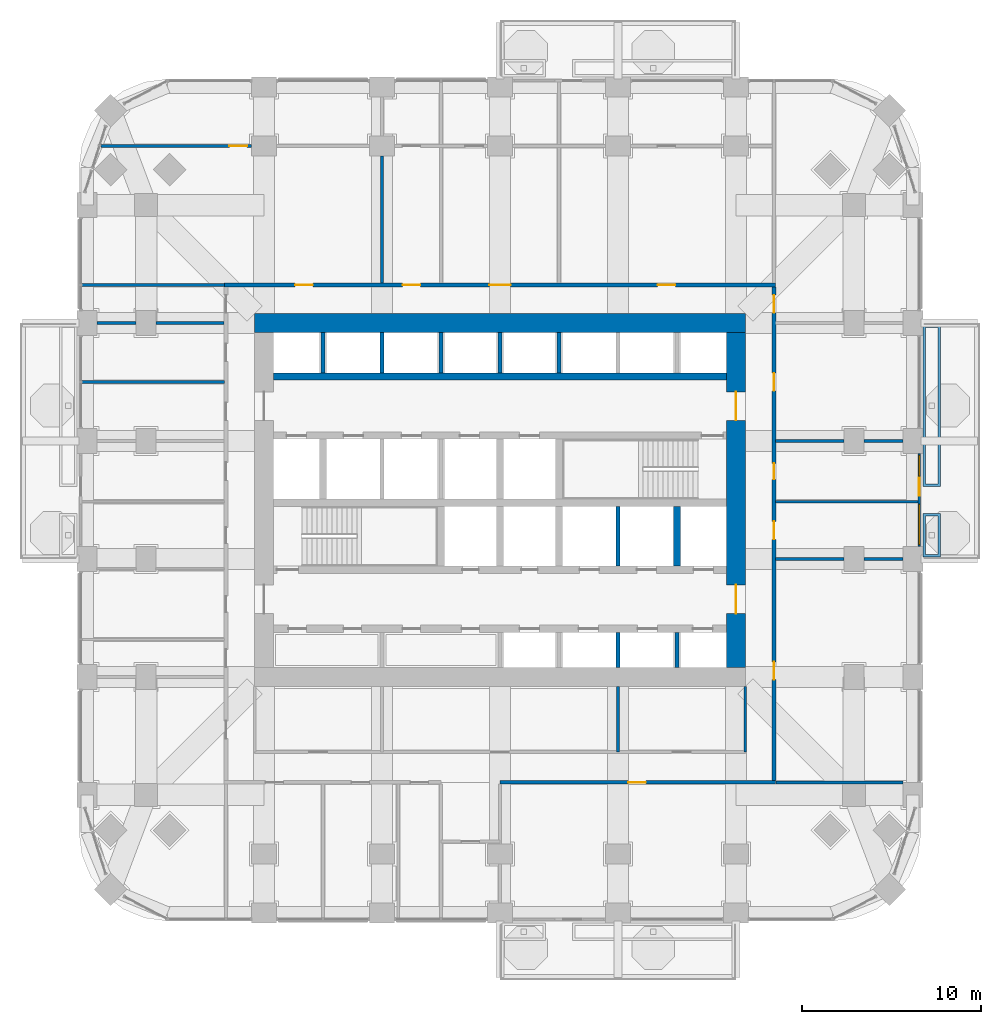
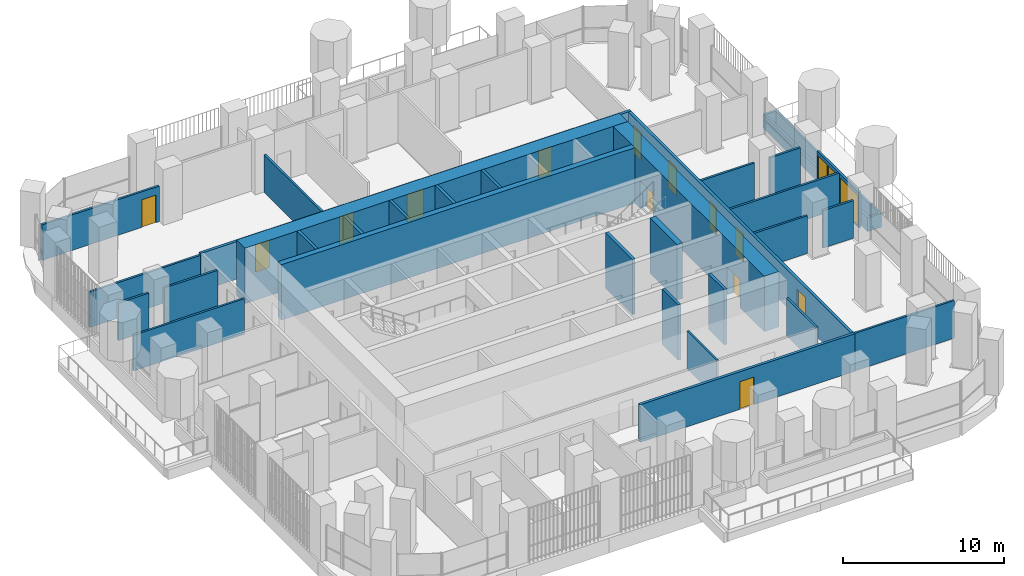
# One storey, part 16 of 22: 32 walls, 14 doors, 2 windows, 16 openings.
"""IFC4 building model written with IfcOpenShell, lengths in metres."""

from ifc_helpers import new_model, si_unit, direction, frame, frame_2d, origin, place, context, subcontext, project, spatial, polyline, rectangle, outline, extrude, material, layer, layer_set, type_object, element, fill, save


model = new_model("IFC4")

# Units and contexts
model_context = context("Model", 3, precision=1e-05, world=origin(), true_north=direction((0.0, 1.0)))
body_context = subcontext(model_context, "Body", "Model", "MODEL_VIEW")
ifc_project = project(units=[si_unit("LENGTHUNIT", "METRE"), si_unit("AREAUNIT", "SQUARE_METRE"), si_unit("VOLUMEUNIT", "CUBIC_METRE"), si_unit("PLANEANGLEUNIT", "RADIAN"), si_unit("MASSUNIT", "GRAM", prefix="KILO")], contexts=[model_context])

# Site, building, storey
site_placement = place(None, origin())
site = spatial("IfcSite", under=ifc_project, at=site_placement, CompositionType="ELEMENT")
building_placement = place(site_placement, origin())
building = spatial("IfcBuilding", under=site, at=building_placement, Name="Cobogo Forest Laboratory Tower", CompositionType="ELEMENT")
storey_placement = place(building_placement, frame((0.0, 0.0, 111.60009765625)))
storey = spatial("IfcBuildingStorey", under=building, at=storey_placement, Name="L25", CompositionType="ELEMENT", Elevation=111.60009765625)

# Walls
ifc_material_1 = material(Name="Concrete HA-50 (C50/60)", Category="concrete")
ifc_layer_1 = layer(ifc_material_1, 0.39990234375)
ifc_layer_set_1 = layer_set([ifc_layer_1], Name="CI400 core inner wall 400")
wall_type_1 = type_object("IfcWallType", Name="CI400 core inner wall 400", PredefinedType="SHEAR", material=ifc_layer_set_1)
wall_1_placement = place(storey_placement, frame((13.72509765625, 30.0, 0.0), z_axis=(0.0, 0.0, 1.0), x_axis=(1.0, 0.0, 0.0)))
element("IfcWall", 1, at=wall_1_placement, inside=storey, type_object=wall_type_1, Name="Core wall CI-30.0 L25", PredefinedType="SHEAR", context=body_context, shape_type="SweptSolid", body=[
    extrude(rectangle(XDim=25.349853515625, YDim=0.39990234375, at=frame_2d((12.6748046875, 0.0))), origin(), (0.0, 0.0, 1.0), 4.199951171875),
])
wall_2_placement = place(storey_placement, frame((36.300048828125, 19.39990234375, 0.0), z_axis=(0.0, 0.0, 1.0), x_axis=(0.0, 1.0, 0.0)))
element("IfcWall", 2, at=wall_2_placement, inside=storey, type_object=wall_type_1, Name="Core wall CX-36.3 L25", PredefinedType="SHEAR", context=body_context, shape_type="SweptSolid", body=[
    extrude(rectangle(XDim=3.35009765625, YDim=0.39990234375, at=frame_2d((1.675048828125, 0.0))), origin(), (0.0, 0.0, 1.0), 4.199951171875),
])

# Wall, openings, doors
ifc_layer_2 = layer(ifc_material_1, 1.050048828125)
ifc_layer_set_2 = layer_set([ifc_layer_2], Name="CW1050 core outer wall 1050")
wall_type_2 = type_object("IfcWallType", Name="CW1050 core outer wall 1050", PredefinedType="SHEAR", material=ifc_layer_set_2)
wall_3_placement = place(storey_placement, frame((39.60009765625, 13.72509765625, 0.0), z_axis=(0.0, 0.0, 1.0), x_axis=(0.0, 1.0, 0.0)))
wall_3 = element("IfcWall", 3, at=wall_3_placement, inside=storey, type_object=wall_type_2, Name="Core wall CO-E L25", PredefinedType="SHEAR", context=body_context, shape_type="SweptSolid", body=[
    extrude(rectangle(XDim=18.75, YDim=1.050048828125, at=frame_2d((9.375, 0.0))), origin(), (0.0, 0.0, 1.0), 4.199951171875),
])
opening_1_placement = place(wall_3_placement, frame((3.02490234375, 0.0, 0.0)))
opening_1 = element("IfcOpeningElement", 4, at=opening_1_placement, cuts=wall_3, Name="Opening L25-D19", PredefinedType="OPENING", context=body_context, shape_type="SweptSolid", body=[
    extrude(rectangle(XDim=1.60009765625, YDim=2.10009765625, at=frame_2d((0.800048828125, 1.050048828125))), frame((0.0, 0.534912109375, 0.0), z_axis=(0.0, -1.0, 0.0), x_axis=(1.0, 0.0, 0.0)), (0.0, 0.0, 1.0), 1.070068359375),
])
opening_2_placement = place(wall_3_placement, frame((13.824951171875, 0.0, 0.0)))
opening_2 = element("IfcOpeningElement", 5, at=opening_2_placement, cuts=wall_3, Name="Opening L25-D32", PredefinedType="OPENING", context=body_context, shape_type="SweptSolid", body=[
    extrude(rectangle(XDim=1.60009765625, YDim=2.10009765625, at=frame_2d((0.800048828125, 1.050048828125))), frame((0.0, 0.534912109375, 0.0), z_axis=(0.0, -1.0, 0.0), x_axis=(1.0, 0.0, 0.0)), (0.0, 0.0, 1.0), 1.070068359375),
])
ifc_material_2 = material(Name="Steel fire door", Category="steel")
door_type_1 = type_object("IfcDoorType", Name="DS2 protected lobby door pair 1600 EI2 60", OperationType="DOUBLE_DOOR_DOUBLE_SWING", PredefinedType="DOOR", material=ifc_material_2)
door_1_placement = place(opening_1_placement, origin())
door_1 = element("IfcDoor", 6, at=door_1_placement, inside=storey, type_object=door_type_1, Name="Door L25-CO-E-S", OperationType="DOUBLE_DOOR_DOUBLE_SWING", OverallHeight=2.10009765625, OverallWidth=1.60009765625, PredefinedType="DOOR", context=body_context, shape_type="SweptSolid", body=[
    extrude(rectangle(XDim=1.60009765625, YDim=2.10009765625, at=frame_2d((0.800048828125, 1.050048828125))), frame((0.0, 0.02490234375, 0.0), z_axis=(0.0, -1.0, 0.0), x_axis=(1.0, 0.0, 0.0)), (0.0, 0.0, 1.0), 0.050048828125),
])
fill(opening_1, door_1)
door_2_placement = place(opening_2_placement, origin())
door_2 = element("IfcDoor", 7, at=door_2_placement, inside=storey, type_object=door_type_1, Name="Door L25-CO-E-N", OperationType="DOUBLE_DOOR_DOUBLE_SWING", OverallHeight=2.10009765625, OverallWidth=1.60009765625, PredefinedType="DOOR", context=body_context, shape_type="SweptSolid", body=[
    extrude(rectangle(XDim=1.60009765625, YDim=2.10009765625, at=frame_2d((0.800048828125, 1.050048828125))), frame((0.0, 0.02490234375, 0.0), z_axis=(0.0, -1.0, 0.0), x_axis=(1.0, 0.0, 0.0)), (0.0, 0.0, 1.0), 0.050048828125),
])
fill(opening_2, door_2)

# Wall
wall_4_placement = place(storey_placement, frame((40.125, 33.0, 0.0), z_axis=(0.0, 0.0, 1.0), x_axis=(-1.0, 0.0, 0.0)))
element("IfcWall", 8, at=wall_4_placement, inside=storey, type_object=wall_type_2, Name="Core wall CO-N L25", PredefinedType="SHEAR", context=body_context, shape_type="SweptSolid", body=[
    extrude(rectangle(XDim=27.449951171875, YDim=1.050048828125, at=frame_2d((13.72509765625, 0.0))), origin(), (0.0, 0.0, 1.0), 4.199951171875),
])

# Wall, openings, door, windows
ifc_material_3 = material(Name="Aluminium framed glazed screen", Category="aluminium")
ifc_layer_3 = layer(ifc_material_3, 0.14990234375)
ifc_layer_set_3 = layer_set([ifc_layer_3], Name="GS1 glazed door screen 150")
wall_type_3 = type_object("IfcWallType", Name="GS1 glazed door screen 150", PredefinedType="SOLIDWALL", material=ifc_layer_set_3)
wall_5_placement = place(storey_placement, frame((49.85009765625, 20.5, 0.0), z_axis=(0.0, 0.0, 1.0), x_axis=(0.0, 1.0, 0.0)))
wall_5 = element("IfcWall", 9, at=wall_5_placement, inside=storey, type_object=wall_type_3, Name="Door screen BAL-E1 L25", PredefinedType="SOLIDWALL", context=body_context, shape_type="SweptSolid", body=[
    extrude(rectangle(XDim=5.199951171875, YDim=0.14990234375, at=frame_2d((2.60009765625, 0.0))), origin(), (0.0, 0.0, 1.0), 2.699951171875),
])
opening_3_placement = place(wall_5_placement, frame((2.85009765625, 0.0, 0.0)))
opening_3 = element("IfcOpeningElement", 10, at=opening_3_placement, cuts=wall_5, Name="Opening L25-D26", PredefinedType="OPENING", context=body_context, shape_type="SweptSolid", body=[
    extrude(rectangle(XDim=1.0, YDim=2.39990234375, at=frame_2d((0.5, 1.199951171875))), frame((0.0, 0.0849609375, 0.0), z_axis=(0.0, -1.0, 0.0), x_axis=(1.0, 0.0, 0.0)), (0.0, 0.0, 1.0), 0.169921875),
])
opening_4_placement = place(wall_5_placement, frame((0.10009765625, 0.0, 0.10009765625)))
opening_4 = element("IfcOpeningElement", 11, at=opening_4_placement, cuts=wall_5, Name="Opening L25-W04", PredefinedType="OPENING", context=body_context, shape_type="SweptSolid", body=[
    extrude(rectangle(XDim=2.25, YDim=2.300048828125, at=frame_2d((1.125, 1.14990234375))), frame((0.0, 0.0849609375, 0.0), z_axis=(0.0, -1.0, 0.0), x_axis=(1.0, 0.0, 0.0)), (0.0, 0.0, 1.0), 0.169921875),
])
opening_5_placement = place(wall_5_placement, frame((3.949951171875, 0.0, 0.10009765625)))
opening_5 = element("IfcOpeningElement", 12, at=opening_5_placement, cuts=wall_5, Name="Opening L25-W06", PredefinedType="OPENING", context=body_context, shape_type="SweptSolid", body=[
    extrude(rectangle(XDim=1.14990234375, YDim=2.300048828125, at=frame_2d((0.574951171875, 1.14990234375))), frame((0.0, 0.0849609375, 0.0), z_axis=(0.0, -1.0, 0.0), x_axis=(1.0, 0.0, 0.0)), (0.0, 0.0, 1.0), 0.169921875),
])
ifc_material_4 = material(Name="Aluminium glazed door", Category="aluminium")
door_type_2 = type_object("IfcDoorType", Name="DB1 balcony door 1000 glazed", OperationType="SINGLE_SWING_LEFT", PredefinedType="DOOR", material=ifc_material_4)
door_3_placement = place(opening_3_placement, origin())
door_3 = element("IfcDoor", 13, at=door_3_placement, inside=storey, type_object=door_type_2, Name="Door L25-BAL-E1", OperationType="SINGLE_SWING_RIGHT", OverallHeight=2.39990234375, OverallWidth=1.0, PredefinedType="DOOR", context=body_context, shape_type="SweptSolid", body=[
    extrude(rectangle(XDim=1.0, YDim=2.39990234375, at=frame_2d((0.5, 1.199951171875))), frame((0.0, 0.02490234375, 0.0), z_axis=(0.0, -1.0, 0.0), x_axis=(1.0, 0.0, 0.0)), (0.0, 0.0, 1.0), 0.050048828125),
])
fill(opening_3, door_3)
ifc_material_5 = material(Name="Aluminium framed glazing", Category="aluminium")
window_type_1 = type_object("IfcWindowType", Name="WG15 fixed glazed light 2250x2300", PartitioningType="SINGLE_PANEL", PredefinedType="WINDOW", material=ifc_material_5)
window_1_placement = place(opening_4_placement, origin())
window_1 = element("IfcWindow", 14, at=window_1_placement, inside=storey, type_object=window_type_1, Name="Window L25-BAL-E1-1", OverallHeight=2.300048828125, OverallWidth=2.25, PartitioningType="SINGLE_PANEL", PredefinedType="WINDOW", context=body_context, shape_type="SweptSolid", body=[
    extrude(rectangle(XDim=2.25, YDim=2.300048828125, at=frame_2d((1.125, 1.14990234375))), frame((0.0, 0.030029296875, 0.0), z_axis=(0.0, -1.0, 0.0), x_axis=(1.0, 0.0, 0.0)), (0.0, 0.0, 1.0), 0.06005859375),
])
fill(opening_4, window_1)
window_type_2 = type_object("IfcWindowType", Name="WG16 fixed glazed light 1150x2300", PartitioningType="SINGLE_PANEL", PredefinedType="WINDOW", material=ifc_material_5)
window_2_placement = place(opening_5_placement, origin())
window_2 = element("IfcWindow", 15, at=window_2_placement, inside=storey, type_object=window_type_2, Name="Window L25-BAL-E1-2", OverallHeight=2.300048828125, OverallWidth=1.14990234375, PartitioningType="SINGLE_PANEL", PredefinedType="WINDOW", context=body_context, shape_type="SweptSolid", body=[
    extrude(rectangle(XDim=1.14990234375, YDim=2.300048828125, at=frame_2d((0.574951171875, 1.14990234375))), frame((0.0, 0.030029296875, 0.0), z_axis=(0.0, -1.0, 0.0), x_axis=(1.0, 0.0, 0.0)), (0.0, 0.0, 1.0), 0.06005859375),
])
fill(opening_5, window_2)

# Walls
ifc_material_6 = material(Name="Gypsum board on steel studs", Category="steel")
ifc_layer_4 = layer(ifc_material_6, 0.14990234375)
ifc_layer_set_4 = layer_set([ifc_layer_4], Name="PT1 laboratory partition 150")
wall_type_4 = type_object("IfcWallType", Name="PT1 laboratory partition 150", PredefinedType="PARTITIONING", material=ifc_layer_set_4)
for number, where, z_axis, x_axis, name in (
    (16, (40.125, 12.675048828125, 0.0), (0.0, 0.0, 1.0), (0.0, -1.0, 0.0), "Partition CSTRIP-SE L25"),
    (17, (33.0, 12.675048828125, 0.0), (0.0, 0.0, 1.0), (0.0, -1.0, 0.0), "Partition CSTRIP-S33 L25"),
):
    element("IfcWall", number, at=place(storey_placement, frame(where, z_axis=z_axis, x_axis=x_axis)), inside=storey, type_object=wall_type_4, Name=name, PredefinedType="PARTITIONING", context=body_context, shape_type="SweptSolid", body=[
        extrude(rectangle(XDim=3.675048828125, YDim=0.14990234375, at=frame_2d((1.83740234375, 0.0))), origin(), (0.0, 0.0, 1.0), 2.849853515625),
    ])
wall_6_placement = place(storey_placement, frame((48.949951171875, 7.300048828125, 0.0), z_axis=(0.0, 0.0, 1.0), x_axis=(-1.0, 0.0, 0.0)))
element("IfcWall", 18, at=wall_6_placement, inside=storey, type_object=wall_type_4, Name="Partition PW-SE L25", PredefinedType="PARTITIONING", context=body_context, shape_type="SweptSolid", body=[
    extrude(rectangle(XDim=7.125, YDim=0.14990234375, at=frame_2d((3.5625, 0.0))), origin(), (0.0, 0.0, 1.0), 2.849853515625),
])
for number, where, z_axis, x_axis, name in (
    (19, (3.030029296875, 35.125, 0.0), (0.0, 0.0, 1.0), (1.0, 0.0, 0.0), "Partition PW-NW L25"),
    (20, (49.77001953125, 23.0, 0.0), (0.0, 0.0, 1.0), (-1.0, 0.0, 0.0), "Partition SVC-E1-1 L25"),
):
    element("IfcWall", number, at=place(storey_placement, frame(where, z_axis=z_axis, x_axis=x_axis)), inside=storey, type_object=wall_type_4, Name=name, PredefinedType="PARTITIONING", context=body_context, shape_type="SweptSolid", body=[
        extrude(rectangle(XDim=7.945068359375, YDim=0.14990234375, at=frame_2d((3.97265625, 0.0))), origin(), (0.0, 0.0, 1.0), 2.699951171875),
    ])
wall_7_placement = place(storey_placement, frame((48.949951171875, 26.39990234375, 0.0), z_axis=(0.0, 0.0, 1.0), x_axis=(-1.0, 0.0, 0.0)))
element("IfcWall", 21, at=wall_7_placement, inside=storey, type_object=wall_type_4, Name="Partition SVC-E2-1 L25", PredefinedType="PARTITIONING", context=body_context, shape_type="SweptSolid", body=[
    extrude(rectangle(XDim=2.199951171875, YDim=0.14990234375, at=frame_2d((1.10009765625, 0.0))), origin(), (0.0, 0.0, 1.0), 2.849853515625),
])
wall_8_placement = place(storey_placement, frame((45.64990234375, 26.39990234375, 0.0), z_axis=(0.0, 0.0, 1.0), x_axis=(-1.0, 0.0, 0.0)))
element("IfcWall", 22, at=wall_8_placement, inside=storey, type_object=wall_type_4, Name="Partition SVC-E2-2 L25", PredefinedType="PARTITIONING", context=body_context, shape_type="SweptSolid", body=[
    extrude(rectangle(XDim=3.824951171875, YDim=0.14990234375, at=frame_2d((1.91259765625, 0.0))), origin(), (0.0, 0.0, 1.0), 2.849853515625),
])
wall_9_placement = place(storey_placement, frame((48.949951171875, 19.800048828125, 0.0), z_axis=(0.0, 0.0, 1.0), x_axis=(-1.0, 0.0, 0.0)))
element("IfcWall", 23, at=wall_9_placement, inside=storey, type_object=wall_type_4, Name="Partition CUT-E19.8-1 L25", PredefinedType="PARTITIONING", context=body_context, shape_type="SweptSolid", body=[
    extrude(rectangle(XDim=2.199951171875, YDim=0.14990234375, at=frame_2d((1.10009765625, 0.0))), origin(), (0.0, 0.0, 1.0), 2.849853515625),
])
wall_10_placement = place(storey_placement, frame((45.64990234375, 19.800048828125, 0.0), z_axis=(0.0, 0.0, 1.0), x_axis=(-1.0, 0.0, 0.0)))
element("IfcWall", 24, at=wall_10_placement, inside=storey, type_object=wall_type_4, Name="Partition CUT-E19.8-2 L25", PredefinedType="PARTITIONING", context=body_context, shape_type="SweptSolid", body=[
    extrude(rectangle(XDim=3.824951171875, YDim=0.14990234375, at=frame_2d((1.91259765625, 0.0))), origin(), (0.0, 0.0, 1.0), 2.849853515625),
])

# Wall, opening, door
wall_11_placement = place(storey_placement, frame((12.5, 42.89990234375, 0.0), z_axis=(0.0, 0.0, 1.0), x_axis=(-1.0, 0.0, 0.0)))
wall_11 = element("IfcWall", 25, at=wall_11_placement, inside=storey, type_object=wall_type_4, Name="Partition STRIP-N-6 L25", PredefinedType="PARTITIONING", context=body_context, shape_type="SweptSolid", body=[
    extrude(rectangle(XDim=8.424072265625, YDim=0.14990234375, at=frame_2d((4.2119140625, 0.0))), origin(), (0.0, 0.0, 1.0), 2.699951171875),
])
opening_6_placement = place(wall_11_placement, frame((0.2421875, 0.0, 0.0)))
opening_6 = element("IfcOpeningElement", 26, at=opening_6_placement, cuts=wall_11, Name="Opening L25-D41", PredefinedType="OPENING", context=body_context, shape_type="SweptSolid", body=[
    extrude(rectangle(XDim=1.0, YDim=2.10009765625, at=frame_2d((0.5, 1.050048828125))), frame((0.0, 0.0849609375, 0.0), z_axis=(0.0, -1.0, 0.0), x_axis=(1.0, 0.0, 0.0)), (0.0, 0.0, 1.0), 0.169921875),
])
ifc_material_7 = material(Name="Timber fire door", Category="wood")
door_type_3 = type_object("IfcDoorType", Name="FD2 fire door 1000 EI2 30", OperationType="SINGLE_SWING_LEFT", PredefinedType="DOOR", material=ifc_material_7)
door_4_placement = place(opening_6_placement, origin())
door_4 = element("IfcDoor", 27, at=door_4_placement, inside=storey, type_object=door_type_3, Name="Door L25-N1W", OperationType="SINGLE_SWING_LEFT", OverallHeight=2.10009765625, OverallWidth=1.0, PredefinedType="DOOR", context=body_context, shape_type="SweptSolid", body=[
    extrude(rectangle(XDim=1.0, YDim=2.10009765625, at=frame_2d((0.5, 1.050048828125))), frame((0.0, 0.02490234375, 0.0), z_axis=(0.0, -1.0, 0.0), x_axis=(1.0, 0.0, 0.0)), (0.0, 0.0, 1.0), 0.050048828125),
])
fill(opening_6, door_4)

# Walls
wall_12_placement = place(storey_placement, frame((19.800048828125, 42.35009765625, 0.0), z_axis=(0.0, 0.0, 1.0), x_axis=(0.0, -1.0, 0.0)))
element("IfcWall", 28, at=wall_12_placement, inside=storey, type_object=wall_type_4, Name="Partition CUT-N19.8b-1 L25", PredefinedType="PARTITIONING", context=body_context, shape_type="SweptSolid", body=[
    extrude(rectangle(XDim=7.125, YDim=0.14990234375, at=frame_2d((3.5625, 0.0))), origin(), (0.0, 0.0, 1.0), 2.849853515625),
])
wall_13_placement = place(storey_placement, frame((3.030029296875, 29.699951171875, 0.0), z_axis=(0.0, 0.0, 1.0), x_axis=(1.0, 0.0, 0.0)))
element("IfcWall", 29, at=wall_13_placement, inside=storey, type_object=wall_type_4, Name="Partition CUT-W29.7-1 L25", PredefinedType="PARTITIONING", context=body_context, shape_type="SweptSolid", body=[
    extrude(rectangle(XDim=7.945068359375, YDim=0.14990234375, at=frame_2d((3.97265625, 0.0))), origin(), (0.0, 0.0, 1.0), 2.699951171875),
])
wall_14_placement = place(storey_placement, frame((3.85009765625, 33.0, 0.0), z_axis=(0.0, 0.0, 1.0), x_axis=(1.0, 0.0, 0.0)))
element("IfcWall", 30, at=wall_14_placement, inside=storey, type_object=wall_type_4, Name="Partition CUT-W33-1 L25", PredefinedType="PARTITIONING", context=body_context, shape_type="SweptSolid", body=[
    extrude(rectangle(XDim=2.199951171875, YDim=0.14990234375, at=frame_2d((1.10009765625, 0.0))), origin(), (0.0, 0.0, 1.0), 2.849853515625),
])
wall_15_placement = place(storey_placement, frame((7.14990234375, 33.0, 0.0), z_axis=(0.0, 0.0, 1.0), x_axis=(1.0, 0.0, 0.0)))
element("IfcWall", 31, at=wall_15_placement, inside=storey, type_object=wall_type_4, Name="Partition CUT-W33-2 L25", PredefinedType="PARTITIONING", context=body_context, shape_type="SweptSolid", body=[
    extrude(rectangle(XDim=3.8251953125, YDim=0.14990234375, at=frame_2d((1.91259765625, 0.0))), origin(), (0.0, 0.0, 1.0), 2.849853515625),
])

# Wall, opening, door
ifc_layer_5 = layer(ifc_material_6, 0.199951171875)
ifc_layer_set_5 = layer_set([ifc_layer_5], Name="PT2 fire-rated corridor partition 200")
wall_type_5 = type_object("IfcWallType", Name="PT2 fire-rated corridor partition 200", PredefinedType="PARTITIONING", material=ifc_layer_set_5)
wall_16_placement = place(storey_placement, frame((26.39990234375, 7.300048828125, 0.0), z_axis=(0.0, 0.0, 1.0), x_axis=(1.0, 0.0, 0.0)))
wall_16 = element("IfcWall", 32, at=wall_16_placement, inside=storey, type_object=wall_type_5, Name="Partition CORR-S-2 L25", PredefinedType="PARTITIONING", context=body_context, shape_type="SweptSolid", body=[
    extrude(rectangle(XDim=15.425048828125, YDim=0.199951171875, at=frame_2d((7.71240234375, 0.0))), origin(), (0.0, 0.0, 1.0), 2.849853515625),
])
opening_7_placement = place(wall_16_placement, frame((7.16259765625, 0.0, 0.0)))
opening_7 = element("IfcOpeningElement", 33, at=opening_7_placement, cuts=wall_16, Name="Opening L25-D06", PredefinedType="OPENING", context=body_context, shape_type="SweptSolid", body=[
    extrude(rectangle(XDim=1.0, YDim=2.10009765625, at=frame_2d((0.5, 1.050048828125))), frame((0.0, 0.10986328125, 0.0), z_axis=(0.0, -1.0, 0.0), x_axis=(1.0, 0.0, 0.0)), (0.0, 0.0, 1.0), 0.219970703125),
])
door_5_placement = place(opening_7_placement, origin())
door_5 = element("IfcDoor", 34, at=door_5_placement, inside=storey, type_object=door_type_3, Name="Door L25-S4", OperationType="SINGLE_SWING_LEFT", OverallHeight=2.10009765625, OverallWidth=1.0, PredefinedType="DOOR", context=body_context, shape_type="SweptSolid", body=[
    extrude(rectangle(XDim=1.0, YDim=2.10009765625, at=frame_2d((0.5, 1.050048828125))), frame((0.0, 0.02490234375, 0.0), z_axis=(0.0, -1.0, 0.0), x_axis=(1.0, 0.0, 0.0)), (0.0, 0.0, 1.0), 0.050048828125),
])
fill(opening_7, door_5)

# Wall, openings, doors
wall_17_placement = place(storey_placement, frame((10.97509765625, 35.125, 0.0), z_axis=(0.0, 0.0, 1.0), x_axis=(1.0, 0.0, 0.0)))
wall_17 = element("IfcWall", 35, at=wall_17_placement, inside=storey, type_object=wall_type_5, Name="Partition CORR-N L25", PredefinedType="PARTITIONING", context=body_context, shape_type="SweptSolid", body=[
    extrude(rectangle(XDim=30.849853515625, YDim=0.199951171875, at=frame_2d((15.4248046875, 0.0))), origin(), (0.0, 0.0, 1.0), 2.849853515625),
])
opening_8_placement = place(wall_17_placement, frame((3.96240234375, 0.0, 0.0)))
opening_8 = element("IfcOpeningElement", 36, at=opening_8_placement, cuts=wall_17, Name="Opening L25-D37", PredefinedType="OPENING", context=body_context, shape_type="SweptSolid", body=[
    extrude(rectangle(XDim=1.0, YDim=2.10009765625, at=frame_2d((0.5, 1.050048828125))), frame((0.0, 0.10986328125, 0.0), z_axis=(0.0, -1.0, 0.0), x_axis=(1.0, 0.0, 0.0)), (0.0, 0.0, 1.0), 0.219970703125),
])
opening_9_placement = place(wall_17_placement, frame((9.97509765625, 0.0, 0.0)))
opening_9 = element("IfcOpeningElement", 37, at=opening_9_placement, cuts=wall_17, Name="Opening L25-D38", PredefinedType="OPENING", context=body_context, shape_type="SweptSolid", body=[
    extrude(rectangle(XDim=1.0, YDim=2.10009765625, at=frame_2d((0.5, 1.050048828125))), frame((0.0, 0.10986328125, 0.0), z_axis=(0.0, -1.0, 0.0), x_axis=(1.0, 0.0, 0.0)), (0.0, 0.0, 1.0), 0.219970703125),
])
opening_10_placement = place(wall_17_placement, frame((14.824951171875, 0.0, 0.0)))
opening_10 = element("IfcOpeningElement", 38, at=opening_10_placement, cuts=wall_17, Name="Opening L25-D39", PredefinedType="OPENING", context=body_context, shape_type="SweptSolid", body=[
    extrude(rectangle(XDim=1.199951171875, YDim=2.10009765625, at=frame_2d((0.60009765625, 1.050048828125))), frame((0.0, 0.10986328125, 0.0), z_axis=(0.0, -1.0, 0.0), x_axis=(1.0, 0.0, 0.0)), (0.0, 0.0, 1.0), 0.219970703125),
])
opening_11_placement = place(wall_17_placement, frame((24.237548828125, 0.0, 0.0)))
opening_11 = element("IfcOpeningElement", 39, at=opening_11_placement, cuts=wall_17, Name="Opening L25-D40", PredefinedType="OPENING", context=body_context, shape_type="SweptSolid", body=[
    extrude(rectangle(XDim=1.0, YDim=2.10009765625, at=frame_2d((0.5, 1.050048828125))), frame((0.0, 0.10986328125, 0.0), z_axis=(0.0, -1.0, 0.0), x_axis=(1.0, 0.0, 0.0)), (0.0, 0.0, 1.0), 0.219970703125),
])
ifc_material_8 = material(Name="Timber door", Category="wood")
door_type_4 = type_object("IfcDoorType", Name="D2 laboratory door 1200 unequal pair", OperationType="DOUBLE_DOOR_SINGLE_SWING", PredefinedType="DOOR", material=ifc_material_8)
door_6_placement = place(opening_10_placement, origin())
door_6 = element("IfcDoor", 40, at=door_6_placement, inside=storey, type_object=door_type_4, Name="Door L25-N3", OperationType="DOUBLE_DOOR_SINGLE_SWING", OverallHeight=2.10009765625, OverallWidth=1.199951171875, PredefinedType="DOOR", context=body_context, shape_type="SweptSolid", body=[
    extrude(rectangle(XDim=1.199951171875, YDim=2.10009765625, at=frame_2d((0.60009765625, 1.050048828125))), frame((0.0, 0.02490234375, 0.0), z_axis=(0.0, -1.0, 0.0), x_axis=(1.0, 0.0, 0.0)), (0.0, 0.0, 1.0), 0.050048828125),
])
fill(opening_10, door_6)
door_type_5 = type_object("IfcDoorType", Name="FD1 fire door 1000 EI2 60", OperationType="SINGLE_SWING_LEFT", PredefinedType="DOOR", material=ifc_material_2)
door_7_placement = place(opening_8_placement, origin())
door_7 = element("IfcDoor", 41, at=door_7_placement, inside=storey, type_object=door_type_5, Name="Door L25-N1", OperationType="SINGLE_SWING_LEFT", OverallHeight=2.10009765625, OverallWidth=1.0, PredefinedType="DOOR", context=body_context, shape_type="SweptSolid", body=[
    extrude(rectangle(XDim=1.0, YDim=2.10009765625, at=frame_2d((0.5, 1.050048828125))), frame((0.0, 0.02490234375, 0.0), z_axis=(0.0, -1.0, 0.0), x_axis=(1.0, 0.0, 0.0)), (0.0, 0.0, 1.0), 0.050048828125),
])
fill(opening_8, door_7)
door_8_placement = place(opening_9_placement, origin())
door_8 = element("IfcDoor", 42, at=door_8_placement, inside=storey, type_object=door_type_5, Name="Door L25-N2", OperationType="SINGLE_SWING_LEFT", OverallHeight=2.10009765625, OverallWidth=1.0, PredefinedType="DOOR", context=body_context, shape_type="SweptSolid", body=[
    extrude(rectangle(XDim=1.0, YDim=2.10009765625, at=frame_2d((0.5, 1.050048828125))), frame((0.0, 0.02490234375, 0.0), z_axis=(0.0, -1.0, 0.0), x_axis=(1.0, 0.0, 0.0)), (0.0, 0.0, 1.0), 0.050048828125),
])
fill(opening_9, door_8)
door_9_placement = place(opening_11_placement, origin())
door_9 = element("IfcDoor", 43, at=door_9_placement, inside=storey, type_object=door_type_3, Name="Door L25-N4", OperationType="SINGLE_SWING_RIGHT", OverallHeight=2.10009765625, OverallWidth=1.0, PredefinedType="DOOR", context=body_context, shape_type="SweptSolid", body=[
    extrude(rectangle(XDim=1.0, YDim=2.10009765625, at=frame_2d((0.5, 1.050048828125))), frame((0.0, 0.02490234375, 0.0), z_axis=(0.0, -1.0, 0.0), x_axis=(1.0, 0.0, 0.0)), (0.0, 0.0, 1.0), 0.050048828125),
])
fill(opening_11, door_9)

wall_18_placement = place(storey_placement, frame((41.72509765625, 7.39990234375, 0.0), z_axis=(0.0, 0.0, 1.0), x_axis=(0.0, 1.0, 0.0)))
wall_18 = element("IfcWall", 44, at=wall_18_placement, inside=storey, type_object=wall_type_5, Name="Partition CORR-E L25", PredefinedType="PARTITIONING", context=body_context, shape_type="SweptSolid", body=[
    extrude(rectangle(XDim=27.625, YDim=0.199951171875, at=frame_2d((13.8125, 0.0))), origin(), (0.0, 0.0, 1.0), 2.849853515625),
])
opening_12_placement = place(wall_18_placement, frame((5.64990234375, 0.0, 0.0)))
opening_12 = element("IfcOpeningElement", 45, at=opening_12_placement, cuts=wall_18, Name="Opening L25-D11", PredefinedType="OPENING", context=body_context, shape_type="SweptSolid", body=[
    extrude(rectangle(XDim=1.0, YDim=2.10009765625, at=frame_2d((0.5, 1.050048828125))), frame((0.0, 0.10986328125, 0.0), z_axis=(0.0, -1.0, 0.0), x_axis=(1.0, 0.0, 0.0)), (0.0, 0.0, 1.0), 0.219970703125),
])
opening_13_placement = place(wall_18_placement, frame((13.5, 0.0, 0.0)))
opening_13 = element("IfcOpeningElement", 46, at=opening_13_placement, cuts=wall_18, Name="Opening L25-D24", PredefinedType="OPENING", context=body_context, shape_type="SweptSolid", body=[
    extrude(rectangle(XDim=1.0, YDim=2.10009765625, at=frame_2d((0.5, 1.050048828125))), frame((0.0, 0.10986328125, 0.0), z_axis=(0.0, -1.0, 0.0), x_axis=(1.0, 0.0, 0.0)), (0.0, 0.0, 1.0), 0.219970703125),
])
opening_14_placement = place(wall_18_placement, frame((16.85009765625, 0.0, 0.0)))
opening_14 = element("IfcOpeningElement", 47, at=opening_14_placement, cuts=wall_18, Name="Opening L25-D28", PredefinedType="OPENING", context=body_context, shape_type="SweptSolid", body=[
    extrude(rectangle(XDim=0.89990234375, YDim=2.10009765625, at=frame_2d((0.449951171875, 1.050048828125))), frame((0.0, 0.10986328125, 0.0), z_axis=(0.0, -1.0, 0.0), x_axis=(1.0, 0.0, 0.0)), (0.0, 0.0, 1.0), 0.219970703125),
])
opening_15_placement = place(wall_18_placement, frame((21.800048828125, 0.0, 0.0)))
opening_15 = element("IfcOpeningElement", 48, at=opening_15_placement, cuts=wall_18, Name="Opening L25-D33", PredefinedType="OPENING", context=body_context, shape_type="SweptSolid", body=[
    extrude(rectangle(XDim=1.0, YDim=2.10009765625, at=frame_2d((0.5, 1.050048828125))), frame((0.0, 0.10986328125, 0.0), z_axis=(0.0, -1.0, 0.0), x_axis=(1.0, 0.0, 0.0)), (0.0, 0.0, 1.0), 0.219970703125),
])
opening_16_placement = place(wall_18_placement, frame((26.16259765625, 0.0, 0.0)))
opening_16 = element("IfcOpeningElement", 49, at=opening_16_placement, cuts=wall_18, Name="Opening L25-D36", PredefinedType="OPENING", context=body_context, shape_type="SweptSolid", body=[
    extrude(rectangle(XDim=1.0, YDim=2.10009765625, at=frame_2d((0.5, 1.050048828125))), frame((0.0, 0.10986328125, 0.0), z_axis=(0.0, -1.0, 0.0), x_axis=(1.0, 0.0, 0.0)), (0.0, 0.0, 1.0), 0.219970703125),
])
door_10_placement = place(opening_13_placement, origin())
door_10 = element("IfcDoor", 50, at=door_10_placement, inside=storey, type_object=door_type_5, Name="Door L25-ELEC", OperationType="SINGLE_SWING_RIGHT", OverallHeight=2.10009765625, OverallWidth=1.0, PredefinedType="DOOR", context=body_context, shape_type="SweptSolid", body=[
    extrude(rectangle(XDim=1.0, YDim=2.10009765625, at=frame_2d((0.5, 1.050048828125))), frame((0.0, 0.02490234375, 0.0), z_axis=(0.0, -1.0, 0.0), x_axis=(1.0, 0.0, 0.0)), (0.0, 0.0, 1.0), 0.050048828125),
])
fill(opening_13, door_10)
door_11_placement = place(opening_12_placement, origin())
door_11 = element("IfcDoor", 51, at=door_11_placement, inside=storey, type_object=door_type_3, Name="Door L25-E1", OperationType="SINGLE_SWING_LEFT", OverallHeight=2.10009765625, OverallWidth=1.0, PredefinedType="DOOR", context=body_context, shape_type="SweptSolid", body=[
    extrude(rectangle(XDim=1.0, YDim=2.10009765625, at=frame_2d((0.5, 1.050048828125))), frame((0.0, 0.02490234375, 0.0), z_axis=(0.0, -1.0, 0.0), x_axis=(1.0, 0.0, 0.0)), (0.0, 0.0, 1.0), 0.050048828125),
])
fill(opening_12, door_11)
door_12_placement = place(opening_15_placement, origin())
door_12 = element("IfcDoor", 52, at=door_12_placement, inside=storey, type_object=door_type_3, Name="Door L25-E2", OperationType="SINGLE_SWING_RIGHT", OverallHeight=2.10009765625, OverallWidth=1.0, PredefinedType="DOOR", context=body_context, shape_type="SweptSolid", body=[
    extrude(rectangle(XDim=1.0, YDim=2.10009765625, at=frame_2d((0.5, 1.050048828125))), frame((0.0, 0.02490234375, 0.0), z_axis=(0.0, -1.0, 0.0), x_axis=(1.0, 0.0, 0.0)), (0.0, 0.0, 1.0), 0.050048828125),
])
fill(opening_15, door_12)
door_13_placement = place(opening_16_placement, origin())
door_13 = element("IfcDoor", 53, at=door_13_placement, inside=storey, type_object=door_type_3, Name="Door L25-E3", OperationType="SINGLE_SWING_RIGHT", OverallHeight=2.10009765625, OverallWidth=1.0, PredefinedType="DOOR", context=body_context, shape_type="SweptSolid", body=[
    extrude(rectangle(XDim=1.0, YDim=2.10009765625, at=frame_2d((0.5, 1.050048828125))), frame((0.0, 0.02490234375, 0.0), z_axis=(0.0, -1.0, 0.0), x_axis=(1.0, 0.0, 0.0)), (0.0, 0.0, 1.0), 0.050048828125),
])
fill(opening_16, door_13)
door_type_6 = type_object("IfcDoorType", Name="FD4 riser access door 900 EI2 60", OperationType="SINGLE_SWING_LEFT", PredefinedType="DOOR", material=ifc_material_2)
door_14_placement = place(opening_14_placement, origin())
door_14 = element("IfcDoor", 54, at=door_14_placement, inside=storey, type_object=door_type_6, Name="Door L25-COMMS", OperationType="SINGLE_SWING_RIGHT", OverallHeight=2.10009765625, OverallWidth=0.89990234375, PredefinedType="DOOR", context=body_context, shape_type="SweptSolid", body=[
    extrude(rectangle(XDim=0.89990234375, YDim=2.10009765625, at=frame_2d((0.449951171875, 1.050048828125))), frame((0.0, 0.02490234375, 0.0), z_axis=(0.0, -1.0, 0.0), x_axis=(1.0, 0.0, 0.0)), (0.0, 0.0, 1.0), 0.050048828125),
])
fill(opening_14, door_14)

# Walls
ifc_material_9 = material(Name="Concrete HA-40 (C40/50)", Category="concrete")
ifc_layer_6 = layer(ifc_material_9, 0.14990234375)
ifc_layer_set_6 = layer_set([ifc_layer_6], Name="Planter box 1000x1050")
wall_type_6 = type_object("IfcWallType", Name="Planter box 1000x1050", PredefinedType="USERDEFINED", material=ifc_layer_set_6)
wall_19_placement = place(storey_placement, origin())
element("IfcWall", 55, at=wall_19_placement, inside=storey, type_object=wall_type_6, Name="Planter BAL-E1-1 L25", ObjectType="PLANTER", PredefinedType="USERDEFINED", context=body_context, shape_type="SweptSolid", body=[
    extrude(outline(polyline([(50.050048828125, 19.89990234375), (51.050048828125, 19.89990234375), (51.050048828125, 22.35009765625), (50.050048828125, 22.35009765625), (50.050048828125, 19.89990234375)]), holes=[polyline([(50.199951171875, 20.050048828125), (50.89990234375, 20.050048828125), (50.89990234375, 22.199951171875), (50.199951171875, 22.199951171875), (50.199951171875, 20.050048828125)])]), origin(), (0.0, 0.0, 1.0), 1.0498046875),
])
wall_20_placement = place(storey_placement, origin())
element("IfcWall", 56, at=wall_20_placement, inside=storey, type_object=wall_type_6, Name="Planter BAL-E1-2 L25", ObjectType="PLANTER", PredefinedType="USERDEFINED", context=body_context, shape_type="SweptSolid", body=[
    extrude(outline(polyline([(50.050048828125, 23.85009765625), (51.050048828125, 23.85009765625), (51.050048828125, 32.89990234375), (50.050048828125, 32.89990234375), (50.050048828125, 23.85009765625)]), holes=[polyline([(50.199951171875, 24.0), (50.89990234375, 24.0), (50.89990234375, 32.75), (50.199951171875, 32.75), (50.199951171875, 24.0)])]), origin(), (0.0, 0.0, 1.0), 1.0498046875),
])
ifc_material_10 = material(Name="Concrete block", Category="concrete")
ifc_layer_7 = layer(ifc_material_10, 0.199951171875)
ifc_layer_set_7 = layer_set([ifc_layer_7], Name="SW200 lift shaft separator 200")
wall_type_7 = type_object("IfcWallType", Name="SW200 lift shaft separator 200", PredefinedType="PARTITIONING", material=ifc_layer_set_7)
for number, where, z_axis, x_axis, name in (
    (57, (16.5, 30.199951171875, 0.0), (0.0, 0.0, 1.0), (0.0, 1.0, 0.0), "Core wall SEP-N1 L25"),
    (58, (19.800048828125, 30.199951171875, 0.0), (0.0, 0.0, 1.0), (0.0, 1.0, 0.0), "Core wall SEP-N2 L25"),
    (59, (23.10009765625, 30.199951171875, 0.0), (0.0, 0.0, 1.0), (0.0, 1.0, 0.0), "Core wall SEP-N3 L25"),
    (60, (26.39990234375, 30.199951171875, 0.0), (0.0, 0.0, 1.0), (0.0, 1.0, 0.0), "Core wall SEP-N4 L25"),
    (61, (29.699951171875, 30.199951171875, 0.0), (0.0, 0.0, 1.0), (0.0, 1.0, 0.0), "Core wall SEP-N5 L25"),
):
    element("IfcWall", number, at=place(storey_placement, frame(where, z_axis=z_axis, x_axis=x_axis)), inside=storey, type_object=wall_type_7, Name=name, PredefinedType="PARTITIONING", context=body_context, shape_type="SweptSolid", body=[
        extrude(rectangle(XDim=2.275146484375, YDim=0.199951171875, at=frame_2d((1.1376953125, 0.0))), origin(), (0.0, 0.0, 1.0), 4.199951171875),
    ])
for number, where, z_axis, x_axis, name in (
    (62, (33.0, 13.72509765625, 0.0), (0.0, 0.0, 1.0), (0.0, 1.0, 0.0), "Core wall SEP-S6 L25"),
    (63, (36.300048828125, 13.72509765625, 0.0), (0.0, 0.0, 1.0), (0.0, 1.0, 0.0), "Core wall SEP-S7 L25"),
):
    element("IfcWall", number, at=place(storey_placement, frame(where, z_axis=z_axis, x_axis=x_axis)), inside=storey, type_object=wall_type_7, Name=name, PredefinedType="PARTITIONING", context=body_context, shape_type="SweptSolid", body=[
        extrude(rectangle(XDim=1.974853515625, YDim=0.199951171875, at=frame_2d((0.9873046875, 0.0))), origin(), (0.0, 0.0, 1.0), 4.199951171875),
    ])
wall_21_placement = place(storey_placement, frame((33.0, 19.39990234375, 0.0), z_axis=(0.0, 0.0, 1.0), x_axis=(0.0, 1.0, 0.0)))
element("IfcWall", 64, at=wall_21_placement, inside=storey, type_object=wall_type_7, Name="Core wall SEP-M33.0 L25", PredefinedType="PARTITIONING", context=body_context, shape_type="SweptSolid", body=[
    extrude(rectangle(XDim=3.35009765625, YDim=0.199951171875, at=frame_2d((1.675048828125, 0.0))), origin(), (0.0, 0.0, 1.0), 4.199951171875),
])

save(model, "model.ifc")
